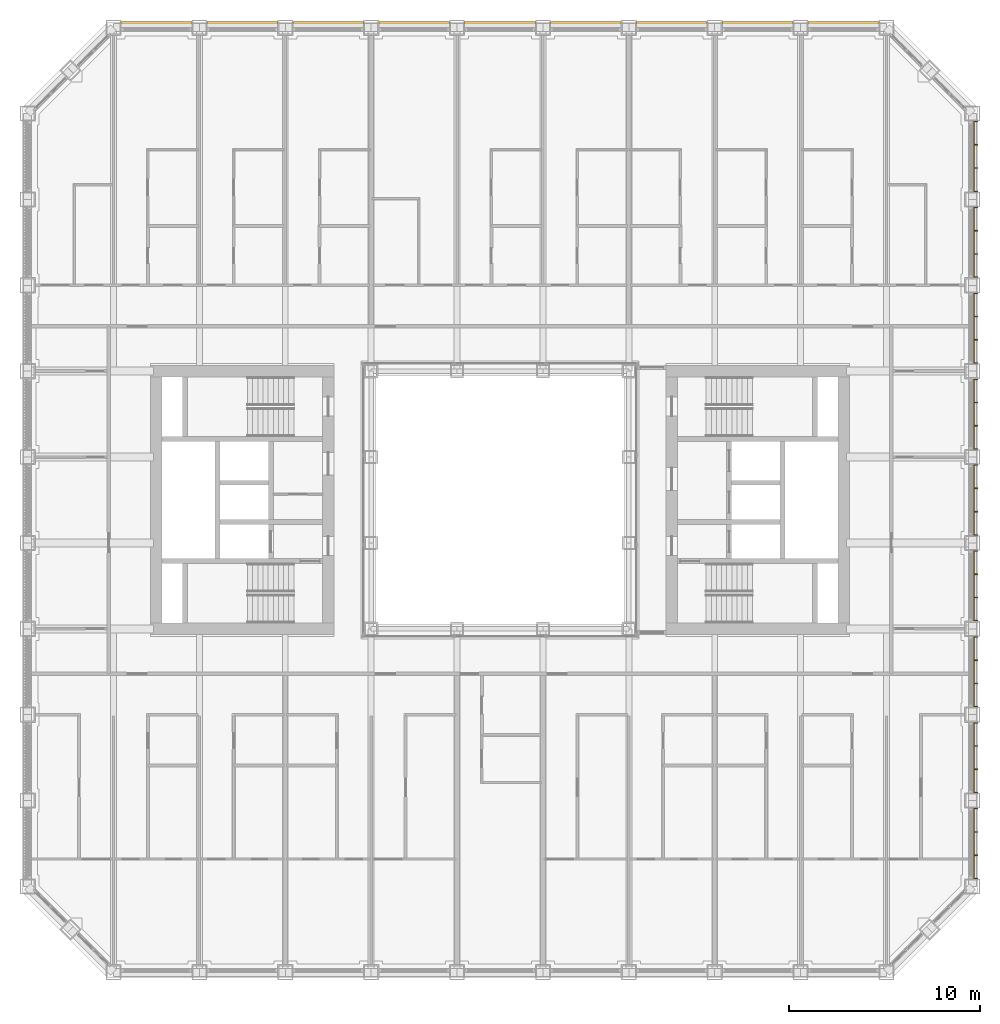
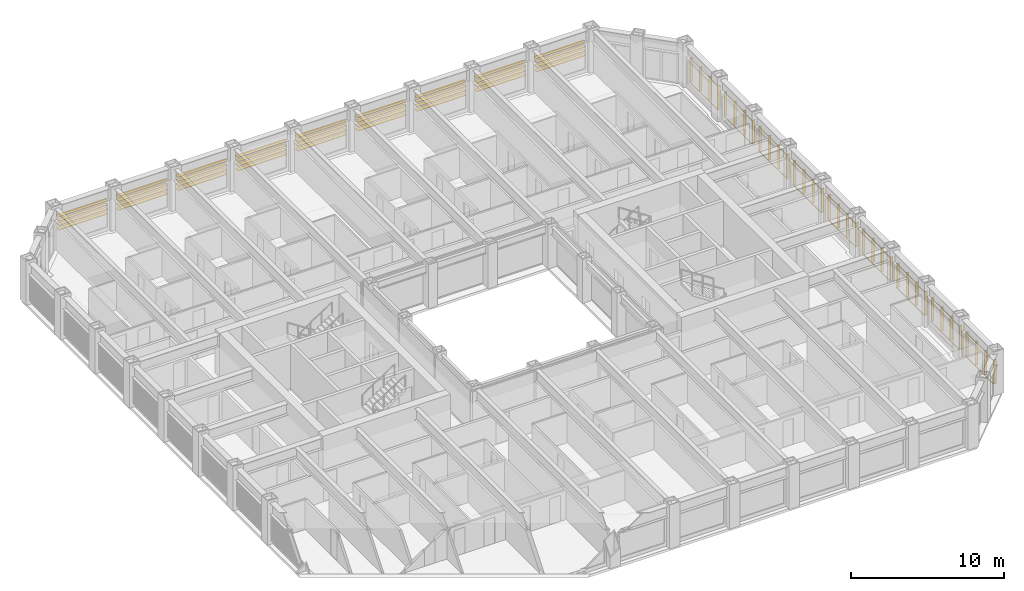
# One storey, part 21 of 21: 2 shading devices.
"""IFC4 building model written with IfcOpenShell, lengths in metres."""

from ifc_helpers import new_model, si_unit, direction, frame, origin, origin_2d, place, context, subcontext, project, spatial, rectangle, extrude, material, type_object, element, save


model = new_model("IFC4")

# Units and contexts
model_context = context("Model", 3, precision=1e-05, world=origin(), true_north=direction((0.0, 1.0)))
body_context = subcontext(model_context, "Body", "Model", "MODEL_VIEW")
ifc_project = project(units=[si_unit("LENGTHUNIT", "METRE"), si_unit("AREAUNIT", "SQUARE_METRE"), si_unit("VOLUMEUNIT", "CUBIC_METRE"), si_unit("PLANEANGLEUNIT", "RADIAN"), si_unit("MASSUNIT", "GRAM", prefix="KILO")], contexts=[model_context])

# Site, building, storey
site_placement = place(None, origin())
site = spatial("IfcSite", under=ifc_project, at=site_placement, CompositionType="ELEMENT")
building_placement = place(site_placement, origin())
building = spatial("IfcBuilding", under=site, at=building_placement, Name="Msasa Ring Tower", CompositionType="ELEMENT")
storey_placement = place(building_placement, frame((0.0, 0.0, 68.5)))
storey = spatial("IfcBuildingStorey", under=building, at=storey_placement, Name="L17", CompositionType="ELEMENT", Elevation=68.5)

# Shading devices
ifc_material_1 = material(Name="Extruded terracotta on aluminium carriers", Category="masonry")
shading_device_type_1 = type_object("IfcShadingDeviceType", Name="BS2 TERRACOTTA FIN SCREEN 40x200 AT 1350", PredefinedType="USERDEFINED", material=ifc_material_1)
shading_device_1_placement = place(storey_placement, origin())
element("IfcShadingDevice", 1, at=shading_device_1_placement, inside=storey, type_object=shading_device_type_1, Name="Terracotta fin screen E L17", ObjectType="BAGUETTE", PredefinedType="USERDEFINED", context=body_context, shape_type="SweptSolid", body=[
    extrude(rectangle(XDim=0.06005859375, YDim=0.0400390625, at=origin_2d()), frame((24.830078125, -19.85009765625, 0.330078125), z_axis=(0.0, 1.0, 0.0), x_axis=(0.0, 0.0, 1.0)), (0.0, 0.0, 1.0), 3.699951171875),
    extrude(rectangle(XDim=0.06005859375, YDim=0.0400390625, at=origin_2d()), frame((24.830078125, -19.85009765625, 2.198974609375), z_axis=(0.0, 1.0, 0.0), x_axis=(0.0, 0.0, 1.0)), (0.0, 0.0, 1.0), 3.699951171875),
    extrude(rectangle(XDim=0.0400390625, YDim=0.199951171875, at=origin_2d()), frame((24.945068359375, -19.830078125, 0.300048828125), z_axis=(0.0, 0.0, 1.0), x_axis=(0.0, 1.0, 0.0)), (0.0, 0.0, 1.0), 1.928955078125),
    extrude(rectangle(XDim=0.0400390625, YDim=0.199951171875, at=origin_2d()), frame((24.945068359375, -18.610107421875, 0.300048828125), z_axis=(0.0, 0.0, 1.0), x_axis=(0.0, 1.0, 0.0)), (0.0, 0.0, 1.0), 1.928955078125),
    extrude(rectangle(XDim=0.0400390625, YDim=0.199951171875, at=origin_2d()), frame((24.945068359375, -17.389892578125, 0.300048828125), z_axis=(0.0, 0.0, 1.0), x_axis=(0.0, 1.0, 0.0)), (0.0, 0.0, 1.0), 1.928955078125),
    extrude(rectangle(XDim=0.0400390625, YDim=0.199951171875, at=origin_2d()), frame((24.945068359375, -16.169921875, 0.300048828125), z_axis=(0.0, 0.0, 1.0), x_axis=(0.0, 1.0, 0.0)), (0.0, 0.0, 1.0), 1.928955078125),
    extrude(rectangle(XDim=0.06005859375, YDim=0.0400390625, at=origin_2d()), frame((24.830078125, -15.35009765625, 0.330078125), z_axis=(0.0, 1.0, 0.0), x_axis=(0.0, 0.0, 1.0)), (0.0, 0.0, 1.0), 3.699951171875),
    extrude(rectangle(XDim=0.06005859375, YDim=0.0400390625, at=origin_2d()), frame((24.830078125, -15.35009765625, 2.198974609375), z_axis=(0.0, 1.0, 0.0), x_axis=(0.0, 0.0, 1.0)), (0.0, 0.0, 1.0), 3.699951171875),
    extrude(rectangle(XDim=0.0400390625, YDim=0.199951171875, at=origin_2d()), frame((24.945068359375, -15.330078125, 0.300048828125), z_axis=(0.0, 0.0, 1.0), x_axis=(0.0, 1.0, 0.0)), (0.0, 0.0, 1.0), 1.928955078125),
    extrude(rectangle(XDim=0.0400390625, YDim=0.199951171875, at=origin_2d()), frame((24.945068359375, -14.110107421875, 0.300048828125), z_axis=(0.0, 0.0, 1.0), x_axis=(0.0, 1.0, 0.0)), (0.0, 0.0, 1.0), 1.928955078125),
    extrude(rectangle(XDim=0.0400390625, YDim=0.199951171875, at=origin_2d()), frame((24.945068359375, -12.889892578125, 0.300048828125), z_axis=(0.0, 0.0, 1.0), x_axis=(0.0, 1.0, 0.0)), (0.0, 0.0, 1.0), 1.928955078125),
    extrude(rectangle(XDim=0.0400390625, YDim=0.199951171875, at=origin_2d()), frame((24.945068359375, -11.669921875, 0.300048828125), z_axis=(0.0, 0.0, 1.0), x_axis=(0.0, 1.0, 0.0)), (0.0, 0.0, 1.0), 1.928955078125),
    extrude(rectangle(XDim=0.06005859375, YDim=0.0400390625, at=origin_2d()), frame((24.830078125, -10.85009765625, 0.330078125), z_axis=(0.0, 1.0, 0.0), x_axis=(0.0, 0.0, 1.0)), (0.0, 0.0, 1.0), 3.699951171875),
    extrude(rectangle(XDim=0.06005859375, YDim=0.0400390625, at=origin_2d()), frame((24.830078125, -10.85009765625, 2.198974609375), z_axis=(0.0, 1.0, 0.0), x_axis=(0.0, 0.0, 1.0)), (0.0, 0.0, 1.0), 3.699951171875),
    extrude(rectangle(XDim=0.0400390625, YDim=0.199951171875, at=origin_2d()), frame((24.945068359375, -10.830078125, 0.300048828125), z_axis=(0.0, 0.0, 1.0), x_axis=(0.0, 1.0, 0.0)), (0.0, 0.0, 1.0), 1.928955078125),
    extrude(rectangle(XDim=0.0400390625, YDim=0.199951171875, at=origin_2d()), frame((24.945068359375, -9.610107421875, 0.300048828125), z_axis=(0.0, 0.0, 1.0), x_axis=(0.0, 1.0, 0.0)), (0.0, 0.0, 1.0), 1.928955078125),
    extrude(rectangle(XDim=0.0400390625, YDim=0.199951171875, at=origin_2d()), frame((24.945068359375, -8.389892578125, 0.300048828125), z_axis=(0.0, 0.0, 1.0), x_axis=(0.0, 1.0, 0.0)), (0.0, 0.0, 1.0), 1.928955078125),
    extrude(rectangle(XDim=0.0400390625, YDim=0.199951171875, at=origin_2d()), frame((24.945068359375, -7.169921875, 0.300048828125), z_axis=(0.0, 0.0, 1.0), x_axis=(0.0, 1.0, 0.0)), (0.0, 0.0, 1.0), 1.928955078125),
    extrude(rectangle(XDim=0.06005859375, YDim=0.0400390625, at=origin_2d()), frame((24.830078125, -6.35009765625, 0.330078125), z_axis=(0.0, 1.0, 0.0), x_axis=(0.0, 0.0, 1.0)), (0.0, 0.0, 1.0), 3.699951171875),
    extrude(rectangle(XDim=0.06005859375, YDim=0.0400390625, at=origin_2d()), frame((24.830078125, -6.35009765625, 2.198974609375), z_axis=(0.0, 1.0, 0.0), x_axis=(0.0, 0.0, 1.0)), (0.0, 0.0, 1.0), 3.699951171875),
    extrude(rectangle(XDim=0.0400390625, YDim=0.199951171875, at=origin_2d()), frame((24.945068359375, -6.330078125, 0.300048828125), z_axis=(0.0, 0.0, 1.0), x_axis=(0.0, 1.0, 0.0)), (0.0, 0.0, 1.0), 1.928955078125),
    extrude(rectangle(XDim=0.0400390625, YDim=0.199951171875, at=origin_2d()), frame((24.945068359375, -5.110107421875, 0.300048828125), z_axis=(0.0, 0.0, 1.0), x_axis=(0.0, 1.0, 0.0)), (0.0, 0.0, 1.0), 1.928955078125),
    extrude(rectangle(XDim=0.0400390625, YDim=0.199951171875, at=origin_2d()), frame((24.945068359375, -3.889892578125, 0.300048828125), z_axis=(0.0, 0.0, 1.0), x_axis=(0.0, 1.0, 0.0)), (0.0, 0.0, 1.0), 1.928955078125),
    extrude(rectangle(XDim=0.0400390625, YDim=0.199951171875, at=origin_2d()), frame((24.945068359375, -2.669921875, 0.300048828125), z_axis=(0.0, 0.0, 1.0), x_axis=(0.0, 1.0, 0.0)), (0.0, 0.0, 1.0), 1.928955078125),
    extrude(rectangle(XDim=0.06005859375, YDim=0.0400390625, at=origin_2d()), frame((24.830078125, -1.85009765625, 0.330078125), z_axis=(0.0, 1.0, 0.0), x_axis=(0.0, 0.0, 1.0)), (0.0, 0.0, 1.0), 3.699951171875),
    extrude(rectangle(XDim=0.06005859375, YDim=0.0400390625, at=origin_2d()), frame((24.830078125, -1.85009765625, 2.198974609375), z_axis=(0.0, 1.0, 0.0), x_axis=(0.0, 0.0, 1.0)), (0.0, 0.0, 1.0), 3.699951171875),
    extrude(rectangle(XDim=0.0400390625, YDim=0.199951171875, at=origin_2d()), frame((24.945068359375, -1.830078125, 0.300048828125), z_axis=(0.0, 0.0, 1.0), x_axis=(0.0, 1.0, 0.0)), (0.0, 0.0, 1.0), 1.928955078125),
    extrude(rectangle(XDim=0.0400390625, YDim=0.199951171875, at=origin_2d()), frame((24.945068359375, -0.610107421875, 0.300048828125), z_axis=(0.0, 0.0, 1.0), x_axis=(0.0, 1.0, 0.0)), (0.0, 0.0, 1.0), 1.928955078125),
    extrude(rectangle(XDim=0.0400390625, YDim=0.199951171875, at=origin_2d()), frame((24.945068359375, 0.610107421875, 0.300048828125), z_axis=(0.0, 0.0, 1.0), x_axis=(0.0, 1.0, 0.0)), (0.0, 0.0, 1.0), 1.928955078125),
    extrude(rectangle(XDim=0.0400390625, YDim=0.199951171875, at=origin_2d()), frame((24.945068359375, 1.830078125, 0.300048828125), z_axis=(0.0, 0.0, 1.0), x_axis=(0.0, 1.0, 0.0)), (0.0, 0.0, 1.0), 1.928955078125),
    extrude(rectangle(XDim=0.06005859375, YDim=0.0400390625, at=origin_2d()), frame((24.830078125, 2.64990234375, 0.330078125), z_axis=(0.0, 1.0, 0.0), x_axis=(0.0, 0.0, 1.0)), (0.0, 0.0, 1.0), 3.699951171875),
    extrude(rectangle(XDim=0.06005859375, YDim=0.0400390625, at=origin_2d()), frame((24.830078125, 2.64990234375, 2.198974609375), z_axis=(0.0, 1.0, 0.0), x_axis=(0.0, 0.0, 1.0)), (0.0, 0.0, 1.0), 3.699951171875),
    extrude(rectangle(XDim=0.0400390625, YDim=0.199951171875, at=origin_2d()), frame((24.945068359375, 2.669921875, 0.300048828125), z_axis=(0.0, 0.0, 1.0), x_axis=(0.0, 1.0, 0.0)), (0.0, 0.0, 1.0), 1.928955078125),
    extrude(rectangle(XDim=0.0400390625, YDim=0.199951171875, at=origin_2d()), frame((24.945068359375, 3.889892578125, 0.300048828125), z_axis=(0.0, 0.0, 1.0), x_axis=(0.0, 1.0, 0.0)), (0.0, 0.0, 1.0), 1.928955078125),
    extrude(rectangle(XDim=0.0400390625, YDim=0.199951171875, at=origin_2d()), frame((24.945068359375, 5.110107421875, 0.300048828125), z_axis=(0.0, 0.0, 1.0), x_axis=(0.0, 1.0, 0.0)), (0.0, 0.0, 1.0), 1.928955078125),
    extrude(rectangle(XDim=0.0400390625, YDim=0.199951171875, at=origin_2d()), frame((24.945068359375, 6.330078125, 0.300048828125), z_axis=(0.0, 0.0, 1.0), x_axis=(0.0, 1.0, 0.0)), (0.0, 0.0, 1.0), 1.928955078125),
    extrude(rectangle(XDim=0.06005859375, YDim=0.0400390625, at=origin_2d()), frame((24.830078125, 7.14990234375, 0.330078125), z_axis=(0.0, 1.0, 0.0), x_axis=(0.0, 0.0, 1.0)), (0.0, 0.0, 1.0), 3.699951171875),
    extrude(rectangle(XDim=0.06005859375, YDim=0.0400390625, at=origin_2d()), frame((24.830078125, 7.14990234375, 2.198974609375), z_axis=(0.0, 1.0, 0.0), x_axis=(0.0, 0.0, 1.0)), (0.0, 0.0, 1.0), 3.699951171875),
    extrude(rectangle(XDim=0.0400390625, YDim=0.199951171875, at=origin_2d()), frame((24.945068359375, 7.169921875, 0.300048828125), z_axis=(0.0, 0.0, 1.0), x_axis=(0.0, 1.0, 0.0)), (0.0, 0.0, 1.0), 1.928955078125),
    extrude(rectangle(XDim=0.0400390625, YDim=0.199951171875, at=origin_2d()), frame((24.945068359375, 8.389892578125, 0.300048828125), z_axis=(0.0, 0.0, 1.0), x_axis=(0.0, 1.0, 0.0)), (0.0, 0.0, 1.0), 1.928955078125),
    extrude(rectangle(XDim=0.0400390625, YDim=0.199951171875, at=origin_2d()), frame((24.945068359375, 9.610107421875, 0.300048828125), z_axis=(0.0, 0.0, 1.0), x_axis=(0.0, 1.0, 0.0)), (0.0, 0.0, 1.0), 1.928955078125),
    extrude(rectangle(XDim=0.0400390625, YDim=0.199951171875, at=origin_2d()), frame((24.945068359375, 10.830078125, 0.300048828125), z_axis=(0.0, 0.0, 1.0), x_axis=(0.0, 1.0, 0.0)), (0.0, 0.0, 1.0), 1.928955078125),
    extrude(rectangle(XDim=0.06005859375, YDim=0.0400390625, at=origin_2d()), frame((24.830078125, 11.64990234375, 0.330078125), z_axis=(0.0, 1.0, 0.0), x_axis=(0.0, 0.0, 1.0)), (0.0, 0.0, 1.0), 3.699951171875),
    extrude(rectangle(XDim=0.06005859375, YDim=0.0400390625, at=origin_2d()), frame((24.830078125, 11.64990234375, 2.198974609375), z_axis=(0.0, 1.0, 0.0), x_axis=(0.0, 0.0, 1.0)), (0.0, 0.0, 1.0), 3.699951171875),
    extrude(rectangle(XDim=0.0400390625, YDim=0.199951171875, at=origin_2d()), frame((24.945068359375, 11.669921875, 0.300048828125), z_axis=(0.0, 0.0, 1.0), x_axis=(0.0, 1.0, 0.0)), (0.0, 0.0, 1.0), 1.928955078125),
    extrude(rectangle(XDim=0.0400390625, YDim=0.199951171875, at=origin_2d()), frame((24.945068359375, 12.889892578125, 0.300048828125), z_axis=(0.0, 0.0, 1.0), x_axis=(0.0, 1.0, 0.0)), (0.0, 0.0, 1.0), 1.928955078125),
    extrude(rectangle(XDim=0.0400390625, YDim=0.199951171875, at=origin_2d()), frame((24.945068359375, 14.110107421875, 0.300048828125), z_axis=(0.0, 0.0, 1.0), x_axis=(0.0, 1.0, 0.0)), (0.0, 0.0, 1.0), 1.928955078125),
    extrude(rectangle(XDim=0.0400390625, YDim=0.199951171875, at=origin_2d()), frame((24.945068359375, 15.330078125, 0.300048828125), z_axis=(0.0, 0.0, 1.0), x_axis=(0.0, 1.0, 0.0)), (0.0, 0.0, 1.0), 1.928955078125),
    extrude(rectangle(XDim=0.06005859375, YDim=0.0400390625, at=origin_2d()), frame((24.830078125, 16.14990234375, 0.330078125), z_axis=(0.0, 1.0, 0.0), x_axis=(0.0, 0.0, 1.0)), (0.0, 0.0, 1.0), 3.699951171875),
    extrude(rectangle(XDim=0.06005859375, YDim=0.0400390625, at=origin_2d()), frame((24.830078125, 16.14990234375, 2.198974609375), z_axis=(0.0, 1.0, 0.0), x_axis=(0.0, 0.0, 1.0)), (0.0, 0.0, 1.0), 3.699951171875),
    extrude(rectangle(XDim=0.0400390625, YDim=0.199951171875, at=origin_2d()), frame((24.945068359375, 16.169921875, 0.300048828125), z_axis=(0.0, 0.0, 1.0), x_axis=(0.0, 1.0, 0.0)), (0.0, 0.0, 1.0), 1.928955078125),
    extrude(rectangle(XDim=0.0400390625, YDim=0.199951171875, at=origin_2d()), frame((24.945068359375, 17.389892578125, 0.300048828125), z_axis=(0.0, 0.0, 1.0), x_axis=(0.0, 1.0, 0.0)), (0.0, 0.0, 1.0), 1.928955078125),
    extrude(rectangle(XDim=0.0400390625, YDim=0.199951171875, at=origin_2d()), frame((24.945068359375, 18.610107421875, 0.300048828125), z_axis=(0.0, 0.0, 1.0), x_axis=(0.0, 1.0, 0.0)), (0.0, 0.0, 1.0), 1.928955078125),
    extrude(rectangle(XDim=0.0400390625, YDim=0.199951171875, at=origin_2d()), frame((24.945068359375, 19.830078125, 0.300048828125), z_axis=(0.0, 0.0, 1.0), x_axis=(0.0, 1.0, 0.0)), (0.0, 0.0, 1.0), 1.928955078125),
])
ifc_material_2 = material(Name="Extruded terracotta blades", Category="masonry")
shading_device_type_2 = type_object("IfcShadingDeviceType", Name="SS1 TERRACOTTA SUNSHADE 4 BLADES 300x40 AT 350", PredefinedType="USERDEFINED", material=ifc_material_2)
shading_device_2_placement = place(storey_placement, origin())
element("IfcShadingDevice", 2, at=shading_device_2_placement, inside=storey, type_object=shading_device_type_2, Name="Terracotta sunshade N L17", ObjectType="SUNSHADE", PredefinedType="USERDEFINED", context=body_context, shape_type="SweptSolid", body=[
    extrude(rectangle(XDim=0.0400390625, YDim=0.300048828125, at=origin_2d()), frame((-19.85009765625, 24.929931640625, 2.208984375), z_axis=(1.0, 0.0, 0.0), x_axis=(0.0, 0.0, 1.0)), (0.0, 0.0, 1.0), 3.699951171875),
    extrude(rectangle(XDim=0.0400390625, YDim=0.300048828125, at=origin_2d()), frame((-19.85009765625, 24.929931640625, 1.85888671875), z_axis=(1.0, 0.0, 0.0), x_axis=(0.0, 0.0, 1.0)), (0.0, 0.0, 1.0), 3.699951171875),
    extrude(rectangle(XDim=0.0400390625, YDim=0.300048828125, at=origin_2d()), frame((-19.85009765625, 24.929931640625, 1.509033203125), z_axis=(1.0, 0.0, 0.0), x_axis=(0.0, 0.0, 1.0)), (0.0, 0.0, 1.0), 3.699951171875),
    extrude(rectangle(XDim=0.0400390625, YDim=0.300048828125, at=origin_2d()), frame((-19.85009765625, 24.929931640625, 1.158935546875), z_axis=(1.0, 0.0, 0.0), x_axis=(0.0, 0.0, 1.0)), (0.0, 0.0, 1.0), 3.699951171875),
    extrude(rectangle(XDim=0.0400390625, YDim=0.300048828125, at=origin_2d()), frame((-15.35009765625, 24.929931640625, 2.208984375), z_axis=(1.0, 0.0, 0.0), x_axis=(0.0, 0.0, 1.0)), (0.0, 0.0, 1.0), 3.699951171875),
    extrude(rectangle(XDim=0.0400390625, YDim=0.300048828125, at=origin_2d()), frame((-15.35009765625, 24.929931640625, 1.85888671875), z_axis=(1.0, 0.0, 0.0), x_axis=(0.0, 0.0, 1.0)), (0.0, 0.0, 1.0), 3.699951171875),
    extrude(rectangle(XDim=0.0400390625, YDim=0.300048828125, at=origin_2d()), frame((-15.35009765625, 24.929931640625, 1.509033203125), z_axis=(1.0, 0.0, 0.0), x_axis=(0.0, 0.0, 1.0)), (0.0, 0.0, 1.0), 3.699951171875),
    extrude(rectangle(XDim=0.0400390625, YDim=0.300048828125, at=origin_2d()), frame((-15.35009765625, 24.929931640625, 1.158935546875), z_axis=(1.0, 0.0, 0.0), x_axis=(0.0, 0.0, 1.0)), (0.0, 0.0, 1.0), 3.699951171875),
    extrude(rectangle(XDim=0.0400390625, YDim=0.300048828125, at=origin_2d()), frame((-10.85009765625, 24.929931640625, 2.208984375), z_axis=(1.0, 0.0, 0.0), x_axis=(0.0, 0.0, 1.0)), (0.0, 0.0, 1.0), 3.699951171875),
    extrude(rectangle(XDim=0.0400390625, YDim=0.300048828125, at=origin_2d()), frame((-10.85009765625, 24.929931640625, 1.85888671875), z_axis=(1.0, 0.0, 0.0), x_axis=(0.0, 0.0, 1.0)), (0.0, 0.0, 1.0), 3.699951171875),
    extrude(rectangle(XDim=0.0400390625, YDim=0.300048828125, at=origin_2d()), frame((-10.85009765625, 24.929931640625, 1.509033203125), z_axis=(1.0, 0.0, 0.0), x_axis=(0.0, 0.0, 1.0)), (0.0, 0.0, 1.0), 3.699951171875),
    extrude(rectangle(XDim=0.0400390625, YDim=0.300048828125, at=origin_2d()), frame((-10.85009765625, 24.929931640625, 1.158935546875), z_axis=(1.0, 0.0, 0.0), x_axis=(0.0, 0.0, 1.0)), (0.0, 0.0, 1.0), 3.699951171875),
    extrude(rectangle(XDim=0.0400390625, YDim=0.300048828125, at=origin_2d()), frame((-6.35009765625, 24.929931640625, 2.208984375), z_axis=(1.0, 0.0, 0.0), x_axis=(0.0, 0.0, 1.0)), (0.0, 0.0, 1.0), 3.699951171875),
    extrude(rectangle(XDim=0.0400390625, YDim=0.300048828125, at=origin_2d()), frame((-6.35009765625, 24.929931640625, 1.85888671875), z_axis=(1.0, 0.0, 0.0), x_axis=(0.0, 0.0, 1.0)), (0.0, 0.0, 1.0), 3.699951171875),
    extrude(rectangle(XDim=0.0400390625, YDim=0.300048828125, at=origin_2d()), frame((-6.35009765625, 24.929931640625, 1.509033203125), z_axis=(1.0, 0.0, 0.0), x_axis=(0.0, 0.0, 1.0)), (0.0, 0.0, 1.0), 3.699951171875),
    extrude(rectangle(XDim=0.0400390625, YDim=0.300048828125, at=origin_2d()), frame((-6.35009765625, 24.929931640625, 1.158935546875), z_axis=(1.0, 0.0, 0.0), x_axis=(0.0, 0.0, 1.0)), (0.0, 0.0, 1.0), 3.699951171875),
    extrude(rectangle(XDim=0.0400390625, YDim=0.300048828125, at=origin_2d()), frame((-1.85009765625, 24.929931640625, 2.208984375), z_axis=(1.0, 0.0, 0.0), x_axis=(0.0, 0.0, 1.0)), (0.0, 0.0, 1.0), 3.699951171875),
    extrude(rectangle(XDim=0.0400390625, YDim=0.300048828125, at=origin_2d()), frame((-1.85009765625, 24.929931640625, 1.85888671875), z_axis=(1.0, 0.0, 0.0), x_axis=(0.0, 0.0, 1.0)), (0.0, 0.0, 1.0), 3.699951171875),
    extrude(rectangle(XDim=0.0400390625, YDim=0.300048828125, at=origin_2d()), frame((-1.85009765625, 24.929931640625, 1.509033203125), z_axis=(1.0, 0.0, 0.0), x_axis=(0.0, 0.0, 1.0)), (0.0, 0.0, 1.0), 3.699951171875),
    extrude(rectangle(XDim=0.0400390625, YDim=0.300048828125, at=origin_2d()), frame((-1.85009765625, 24.929931640625, 1.158935546875), z_axis=(1.0, 0.0, 0.0), x_axis=(0.0, 0.0, 1.0)), (0.0, 0.0, 1.0), 3.699951171875),
    extrude(rectangle(XDim=0.0400390625, YDim=0.300048828125, at=origin_2d()), frame((2.64990234375, 24.929931640625, 2.208984375), z_axis=(1.0, 0.0, 0.0), x_axis=(0.0, 0.0, 1.0)), (0.0, 0.0, 1.0), 3.699951171875),
    extrude(rectangle(XDim=0.0400390625, YDim=0.300048828125, at=origin_2d()), frame((2.64990234375, 24.929931640625, 1.85888671875), z_axis=(1.0, 0.0, 0.0), x_axis=(0.0, 0.0, 1.0)), (0.0, 0.0, 1.0), 3.699951171875),
    extrude(rectangle(XDim=0.0400390625, YDim=0.300048828125, at=origin_2d()), frame((2.64990234375, 24.929931640625, 1.509033203125), z_axis=(1.0, 0.0, 0.0), x_axis=(0.0, 0.0, 1.0)), (0.0, 0.0, 1.0), 3.699951171875),
    extrude(rectangle(XDim=0.0400390625, YDim=0.300048828125, at=origin_2d()), frame((2.64990234375, 24.929931640625, 1.158935546875), z_axis=(1.0, 0.0, 0.0), x_axis=(0.0, 0.0, 1.0)), (0.0, 0.0, 1.0), 3.699951171875),
    extrude(rectangle(XDim=0.0400390625, YDim=0.300048828125, at=origin_2d()), frame((7.14990234375, 24.929931640625, 2.208984375), z_axis=(1.0, 0.0, 0.0), x_axis=(0.0, 0.0, 1.0)), (0.0, 0.0, 1.0), 3.699951171875),
    extrude(rectangle(XDim=0.0400390625, YDim=0.300048828125, at=origin_2d()), frame((7.14990234375, 24.929931640625, 1.85888671875), z_axis=(1.0, 0.0, 0.0), x_axis=(0.0, 0.0, 1.0)), (0.0, 0.0, 1.0), 3.699951171875),
    extrude(rectangle(XDim=0.0400390625, YDim=0.300048828125, at=origin_2d()), frame((7.14990234375, 24.929931640625, 1.509033203125), z_axis=(1.0, 0.0, 0.0), x_axis=(0.0, 0.0, 1.0)), (0.0, 0.0, 1.0), 3.699951171875),
    extrude(rectangle(XDim=0.0400390625, YDim=0.300048828125, at=origin_2d()), frame((7.14990234375, 24.929931640625, 1.158935546875), z_axis=(1.0, 0.0, 0.0), x_axis=(0.0, 0.0, 1.0)), (0.0, 0.0, 1.0), 3.699951171875),
    extrude(rectangle(XDim=0.0400390625, YDim=0.300048828125, at=origin_2d()), frame((11.64990234375, 24.929931640625, 2.208984375), z_axis=(1.0, 0.0, 0.0), x_axis=(0.0, 0.0, 1.0)), (0.0, 0.0, 1.0), 3.699951171875),
    extrude(rectangle(XDim=0.0400390625, YDim=0.300048828125, at=origin_2d()), frame((11.64990234375, 24.929931640625, 1.85888671875), z_axis=(1.0, 0.0, 0.0), x_axis=(0.0, 0.0, 1.0)), (0.0, 0.0, 1.0), 3.699951171875),
    extrude(rectangle(XDim=0.0400390625, YDim=0.300048828125, at=origin_2d()), frame((11.64990234375, 24.929931640625, 1.509033203125), z_axis=(1.0, 0.0, 0.0), x_axis=(0.0, 0.0, 1.0)), (0.0, 0.0, 1.0), 3.699951171875),
    extrude(rectangle(XDim=0.0400390625, YDim=0.300048828125, at=origin_2d()), frame((11.64990234375, 24.929931640625, 1.158935546875), z_axis=(1.0, 0.0, 0.0), x_axis=(0.0, 0.0, 1.0)), (0.0, 0.0, 1.0), 3.699951171875),
    extrude(rectangle(XDim=0.0400390625, YDim=0.300048828125, at=origin_2d()), frame((16.14990234375, 24.929931640625, 2.208984375), z_axis=(1.0, 0.0, 0.0), x_axis=(0.0, 0.0, 1.0)), (0.0, 0.0, 1.0), 3.699951171875),
    extrude(rectangle(XDim=0.0400390625, YDim=0.300048828125, at=origin_2d()), frame((16.14990234375, 24.929931640625, 1.85888671875), z_axis=(1.0, 0.0, 0.0), x_axis=(0.0, 0.0, 1.0)), (0.0, 0.0, 1.0), 3.699951171875),
    extrude(rectangle(XDim=0.0400390625, YDim=0.300048828125, at=origin_2d()), frame((16.14990234375, 24.929931640625, 1.509033203125), z_axis=(1.0, 0.0, 0.0), x_axis=(0.0, 0.0, 1.0)), (0.0, 0.0, 1.0), 3.699951171875),
    extrude(rectangle(XDim=0.0400390625, YDim=0.300048828125, at=origin_2d()), frame((16.14990234375, 24.929931640625, 1.158935546875), z_axis=(1.0, 0.0, 0.0), x_axis=(0.0, 0.0, 1.0)), (0.0, 0.0, 1.0), 3.699951171875),
])

save(model, "model.ifc")
